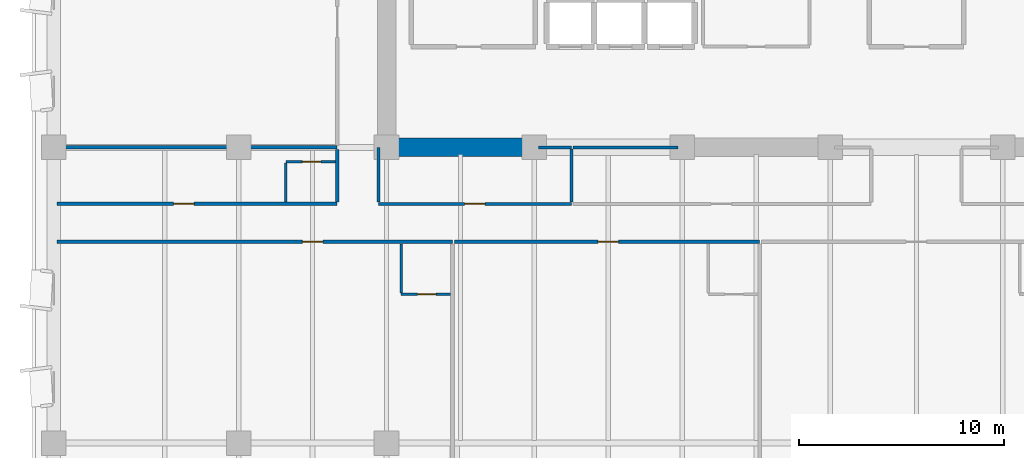
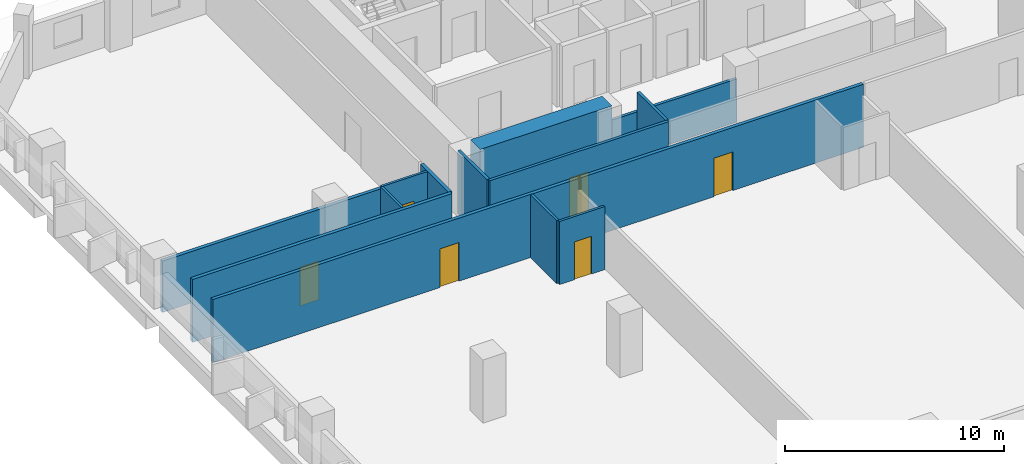
# One storey, part 4 of 14: 15 walls, 6 doors, 6 openings.
"""IFC4 building model written with IfcOpenShell, lengths in metres."""

from ifc_helpers import new_model, si_unit, direction, frame, frame_2d, origin, place, context, subcontext, project, spatial, rectangle, extrude, material, layer, layer_set, type_object, element, fill, save


model = new_model("IFC4")

# Units and contexts
model_context = context("Model", 3, precision=1e-05, world=origin(), true_north=direction((0.0, 1.0)))
body_context = subcontext(model_context, "Body", "Model", "MODEL_VIEW")
ifc_project = project(units=[si_unit("LENGTHUNIT", "METRE"), si_unit("AREAUNIT", "SQUARE_METRE"), si_unit("VOLUMEUNIT", "CUBIC_METRE"), si_unit("PLANEANGLEUNIT", "RADIAN"), si_unit("MASSUNIT", "GRAM", prefix="KILO")], contexts=[model_context])

# Site, building, storey
site_placement = place(None, origin())
site = spatial("IfcSite", under=ifc_project, at=site_placement, CompositionType="ELEMENT")
building_placement = place(site_placement, origin())
building = spatial("IfcBuilding", under=site, at=building_placement, Name="Kaelvorn Grand Hotel", CompositionType="ELEMENT")
storey_placement = place(building_placement, frame((0.0, 0.0, 119.300048828125)))
storey = spatial("IfcBuildingStorey", under=building, at=storey_placement, Name="L28", CompositionType="ELEMENT", Elevation=119.300048828125)

# Wall
ifc_material_1 = material(Name="Concrete C60/75", Category="concrete")
ifc_layer_1 = layer(ifc_material_1, 0.89990234375)
ifc_layer_set_1 = layer_set([ifc_layer_1], Name="Concrete C60/75")
wall_type_1 = type_object("IfcWallType", Name="WL-CORE-900-C60", PredefinedType="SHEAR", material=ifc_layer_set_1)
wall_1_placement = place(storey_placement, frame((16.655029296875, 29.39990234375, 0.0), z_axis=(0.0, 0.0, 1.0), x_axis=(1.0, 0.0, 0.0)))
element("IfcWall", 1, at=wall_1_placement, inside=storey, type_object=wall_type_1, Name="L28 Rear-Core Coupled Shear Pier S1", PredefinedType="SHEAR", context=body_context, shape_type="SweptSolid", body=[
    extrude(rectangle(XDim=6.945068359375, YDim=0.89990234375, at=frame_2d((3.47265625, 0.0))), origin(), (0.0, 0.0, 1.0), 3.510009765625),
])

# Wall, opening, door
ifc_material_2 = material(Name="Moisture-Resistant Tile & Stud Board")
ifc_layer_2 = layer(ifc_material_2, 0.125)
ifc_layer_set_2 = layer_set([ifc_layer_2], Name="Moisture-Resistant Tile & Stud Board")
wall_type_2 = type_object("IfcWallType", Name="WL-PART-125-WET", PredefinedType="PARTITIONING", material=ifc_layer_set_2)
wall_2_placement = place(storey_placement, frame((16.909912109375, 22.25, 0.0), z_axis=(0.0, 0.0, 1.0), x_axis=(1.0, 0.0, 0.0)))
wall_2 = element("IfcWall", 2, at=wall_2_placement, inside=storey, type_object=wall_type_2, Name="L28 En-suite Bathroom L28-01 S Partition", PredefinedType="PARTITIONING", context=body_context, shape_type="SweptSolid", body=[
    extrude(rectangle(XDim=2.40478515625, YDim=0.125, at=frame_2d((1.202392578125, 0.0))), origin(), (0.0, 0.0, 1.0), 3.510009765625),
])
opening_1_placement = place(wall_2_placement, frame((0.800048828125, 0.0, 0.0)))
opening_1 = element("IfcOpeningElement", 3, at=opening_1_placement, cuts=wall_2, Name="Opening DI4", PredefinedType="OPENING", context=body_context, shape_type="SweptSolid", body=[
    extrude(rectangle(XDim=0.89990234375, YDim=2.10009765625, at=frame_2d((0.449951171875, 1.050048828125))), frame((0.0, 0.072509765625, 0.0), z_axis=(0.0, -1.0, 0.0), x_axis=(1.0, 0.0, 0.0)), (0.0, 0.0, 1.0), 0.14501953125),
])
ifc_material_3 = material(Name="Timber Veneer Leaf", Category="wood")
door_type_1 = type_object("IfcDoorType", Name="DR-INT-BATH-900x2100", OperationType="NOTDEFINED", PredefinedType="DOOR", material=ifc_material_3)
door_1_placement = place(opening_1_placement, origin())
door_1 = element("IfcDoor", 4, at=door_1_placement, inside=storey, type_object=door_type_1, Name="L28 En-suite Bathroom L28-01 Door", OperationType="SINGLE_SWING_RIGHT", OverallHeight=2.10009765625, OverallWidth=0.89990234375, PredefinedType="DOOR", context=body_context, shape_type="SweptSolid", body=[
    extrude(rectangle(XDim=0.89990234375, YDim=2.10009765625, at=frame_2d((0.449951171875, 1.050048828125))), frame((0.0, 0.02490234375, 0.0), z_axis=(0.0, -1.0, 0.0), x_axis=(1.0, 0.0, 0.0)), (0.0, 0.0, 1.0), 0.050048828125),
])
fill(opening_1, door_1)

# Wall
wall_3_placement = place(storey_placement, frame((16.909912109375, 22.3173828125, 0.0), z_axis=(0.0, 0.0, 1.0), x_axis=(0.0, 1.0, 0.0)))
element("IfcWall", 5, at=wall_3_placement, inside=storey, type_object=wall_type_2, Name="L28 En-suite Bathroom L28-01 W Partition", PredefinedType="PARTITIONING", context=body_context, shape_type="SweptSolid", body=[
    extrude(rectangle(XDim=2.3876953125, YDim=0.125, at=frame_2d((1.19384765625, 0.0))), origin(), (0.0, 0.0, 1.0), 3.510009765625),
])

# Wall, opening, door
wall_4_placement = place(storey_placement, frame((11.300048828125, 28.699951171875, 0.0), z_axis=(0.0, 0.0, 1.0), x_axis=(1.0, 0.0, 0.0)))
wall_4 = element("IfcWall", 6, at=wall_4_placement, inside=storey, type_object=wall_type_2, Name="L28 En-suite Bathroom L28-06 N Partition", PredefinedType="PARTITIONING", context=body_context, shape_type="SweptSolid", body=[
    extrude(rectangle(XDim=2.405029296875, YDim=0.125, at=frame_2d((1.20263671875, 0.0))), origin(), (0.0, 0.0, 1.0), 3.510009765625),
])
opening_2_placement = place(wall_4_placement, frame((0.800048828125, 0.0, 0.0)))
opening_2 = element("IfcOpeningElement", 7, at=opening_2_placement, cuts=wall_4, Name="Opening DI4", PredefinedType="OPENING", context=body_context, shape_type="SweptSolid", body=[
    extrude(rectangle(XDim=0.89990234375, YDim=2.10009765625, at=frame_2d((0.449951171875, 1.050048828125))), frame((0.0, 0.072509765625, 0.0), z_axis=(0.0, -1.0, 0.0), x_axis=(1.0, 0.0, 0.0)), (0.0, 0.0, 1.0), 0.14501953125),
])
door_2_placement = place(opening_2_placement, origin())
door_2 = element("IfcDoor", 8, at=door_2_placement, inside=storey, type_object=door_type_1, Name="L28 En-suite Bathroom L28-06 Door", OperationType="SINGLE_SWING_RIGHT", OverallHeight=2.10009765625, OverallWidth=0.89990234375, PredefinedType="DOOR", context=body_context, shape_type="SweptSolid", body=[
    extrude(rectangle(XDim=0.89990234375, YDim=2.10009765625, at=frame_2d((0.449951171875, 1.050048828125))), frame((0.0, 0.02490234375, 0.0), z_axis=(0.0, -1.0, 0.0), x_axis=(1.0, 0.0, 0.0)), (0.0, 0.0, 1.0), 0.050048828125),
])
fill(opening_2, door_2)

# Wall
wall_5_placement = place(storey_placement, frame((11.300048828125, 26.7451171875, 0.0), z_axis=(0.0, 0.0, 1.0), x_axis=(0.0, 1.0, 0.0)))
element("IfcWall", 9, at=wall_5_placement, inside=storey, type_object=wall_type_2, Name="L28 En-suite Bathroom L28-06 W Partition", PredefinedType="PARTITIONING", context=body_context, shape_type="SweptSolid", body=[
    extrude(rectangle(XDim=1.887451171875, YDim=0.125, at=frame_2d((0.94384765625, 0.0))), origin(), (0.0, 0.0, 1.0), 3.510009765625),
])

# Wall, opening, door
ifc_material_4 = material(Name="Acoustic Gypsum & Stud Partition")
ifc_layer_3 = layer(ifc_material_4, 0.14990234375)
ifc_layer_set_3 = layer_set([ifc_layer_3], Name="Acoustic Gypsum & Stud Partition")
wall_type_3 = type_object("IfcWallType", Name="WL-PART-150-EI60", PredefinedType="PARTITIONING", material=ifc_layer_set_3)
wall_6_placement = place(storey_placement, frame((15.800048828125, 26.64990234375, 0.0), z_axis=(0.0, 0.0, 1.0), x_axis=(1.0, 0.0, 0.0)))
wall_6 = element("IfcWall", 10, at=wall_6_placement, inside=storey, type_object=wall_type_3, Name="L28 Music & Recital Salon S Partition", PredefinedType="PARTITIONING", context=body_context, shape_type="SweptSolid", body=[
    extrude(rectangle(XDim=9.39990234375, YDim=0.14990234375, at=frame_2d((4.699951171875, 0.0))), origin(), (0.0, 0.0, 1.0), 3.510009765625),
])
opening_3_placement = place(wall_6_placement, frame((4.199951171875, 0.0, 0.0)))
opening_3 = element("IfcOpeningElement", 11, at=opening_3_placement, cuts=wall_6, Name="Opening DI3", PredefinedType="OPENING", context=body_context, shape_type="SweptSolid", body=[
    extrude(rectangle(XDim=1.0, YDim=2.14990234375, at=frame_2d((0.5, 1.074951171875))), frame((0.0, 0.0849609375, 0.0), z_axis=(0.0, -1.0, 0.0), x_axis=(1.0, 0.0, 0.0)), (0.0, 0.0, 1.0), 0.169921875),
])
ifc_material_5 = material(Name="Timber Veneer Fire Leaf", Category="wood")
door_type_2 = type_object("IfcDoorType", Name="DR-INT-GUEST-1000x2150", OperationType="NOTDEFINED", PredefinedType="DOOR", material=ifc_material_5)
door_3_placement = place(opening_3_placement, origin())
door_3 = element("IfcDoor", 12, at=door_3_placement, inside=storey, type_object=door_type_2, Name="L28 Music & Recital Salon Door", OperationType="SINGLE_SWING_LEFT", OverallHeight=2.14990234375, OverallWidth=1.0, PredefinedType="DOOR", context=body_context, shape_type="SweptSolid", body=[
    extrude(rectangle(XDim=1.0, YDim=2.14990234375, at=frame_2d((0.5, 1.074951171875))), frame((0.0, 0.02490234375, 0.0), z_axis=(0.0, -1.0, 0.0), x_axis=(1.0, 0.0, 0.0)), (0.0, 0.0, 1.0), 0.050048828125),
])
fill(opening_3, door_3)

# Walls
wall_7_placement = place(storey_placement, frame((23.610107421875, 29.39990234375, 0.0), z_axis=(0.0, 0.0, 1.0), x_axis=(1.0, 0.0, 0.0)))
element("IfcWall", 13, at=wall_7_placement, inside=storey, type_object=wall_type_3, Name="L28 Music & Recital Salon N Partition", PredefinedType="PARTITIONING", context=body_context, shape_type="SweptSolid", body=[
    extrude(rectangle(XDim=1.58984375, YDim=0.14990234375, at=frame_2d((0.794921875, 0.0))), origin(), (0.0, 0.0, 1.0), 2.409912109375),
])
wall_8_placement = place(storey_placement, frame((15.800048828125, 26.72998046875, 0.0), z_axis=(0.0, 0.0, 1.0), x_axis=(0.0, 1.0, 0.0)))
element("IfcWall", 14, at=wall_8_placement, inside=storey, type_object=wall_type_3, Name="L28 Music & Recital Salon W Partition", PredefinedType="PARTITIONING", context=body_context, shape_type="SweptSolid", body=[
    extrude(rectangle(XDim=2.659912109375, YDim=0.14990234375, at=frame_2d((1.330078125, 0.0))), origin(), (0.0, 0.0, 1.0), 3.510009765625),
])
wall_9_placement = place(storey_placement, frame((25.199951171875, 26.72998046875, 0.0), z_axis=(0.0, 0.0, 1.0), x_axis=(0.0, 1.0, 0.0)))
element("IfcWall", 15, at=wall_9_placement, inside=storey, type_object=wall_type_3, Name="L28 Music & Recital Salon E Partition", PredefinedType="PARTITIONING", context=body_context, shape_type="SweptSolid", body=[
    extrude(rectangle(XDim=2.590087890625, YDim=0.14990234375, at=frame_2d((1.294921875, 0.0))), origin(), (0.0, 0.0, 1.0), 3.510009765625),
])
wall_10_placement = place(storey_placement, frame((25.280029296875, 29.39990234375, 0.0), z_axis=(0.0, 0.0, 1.0), x_axis=(1.0, 0.0, 0.0)))
element("IfcWall", 16, at=wall_10_placement, inside=storey, type_object=wall_type_3, Name="L28 Banquet Prep Kitchen N Partition (1)", PredefinedType="PARTITIONING", context=body_context, shape_type="SweptSolid", body=[
    extrude(rectangle(XDim=5.10986328125, YDim=0.14990234375, at=frame_2d((2.554931640625, 0.0))), origin(), (0.0, 0.0, 1.0), 2.409912109375),
])

# Wall, opening, door
ifc_layer_4 = layer(ifc_material_4, 0.179931640625)
ifc_layer_set_4 = layer_set([ifc_layer_4], Name="Acoustic Gypsum & Stud Partition")
wall_type_4 = type_object("IfcWallType", Name="WL-PART-180-EI60", PredefinedType="PARTITIONING", material=ifc_layer_set_4)
wall_11_placement = place(storey_placement, frame((0.14990234375, 24.800048828125, 0.0), z_axis=(0.0, 0.0, 1.0), x_axis=(1.0, 0.0, 0.0)))
wall_11 = element("IfcWall", 17, at=wall_11_placement, inside=storey, type_object=wall_type_4, Name="L28 Presidential Sky Suite L28-01 N Partition", PredefinedType="PARTITIONING", context=body_context, shape_type="SweptSolid", body=[
    extrude(rectangle(XDim=19.260009765625, YDim=0.179931640625, at=frame_2d((9.6298828125, 0.0))), origin(), (0.0, 0.0, 1.0), 3.510009765625),
])
opening_4_placement = place(wall_11_placement, frame((11.949951171875, 0.0, 0.0)))
opening_4 = element("IfcOpeningElement", 18, at=opening_4_placement, cuts=wall_11, Name="Opening DI3", PredefinedType="OPENING", context=body_context, shape_type="SweptSolid", body=[
    extrude(rectangle(XDim=1.0, YDim=2.14990234375, at=frame_2d((0.5, 1.074951171875))), frame((0.0, 0.10009765625, 0.0), z_axis=(0.0, -1.0, 0.0), x_axis=(1.0, 0.0, 0.0)), (0.0, 0.0, 1.0), 0.199951171875),
])
door_4_placement = place(opening_4_placement, origin())
door_4 = element("IfcDoor", 19, at=door_4_placement, inside=storey, type_object=door_type_2, Name="L28 Presidential Sky Suite L28-01 Door", OperationType="SINGLE_SWING_LEFT", OverallHeight=2.14990234375, OverallWidth=1.0, PredefinedType="DOOR", context=body_context, shape_type="SweptSolid", body=[
    extrude(rectangle(XDim=1.0, YDim=2.14990234375, at=frame_2d((0.5, 1.074951171875))), frame((0.0, 0.02490234375, 0.0), z_axis=(0.0, -1.0, 0.0), x_axis=(1.0, 0.0, 0.0)), (0.0, 0.0, 1.0), 0.050048828125),
])
fill(opening_4, door_4)

wall_12_placement = place(storey_placement, frame((19.5048828125, 24.800048828125, 0.0), z_axis=(0.0, 0.0, 1.0), x_axis=(1.0, 0.0, 0.0)))
wall_12 = element("IfcWall", 20, at=wall_12_placement, inside=storey, type_object=wall_type_4, Name="L28 Presidential Sky Suite L28-02 N Partition", PredefinedType="PARTITIONING", context=body_context, shape_type="SweptSolid", body=[
    extrude(rectangle(XDim=14.864501953125, YDim=0.179931640625, at=frame_2d((7.43212890625, 0.0))), origin(), (0.0, 0.0, 1.0), 3.510009765625),
])
opening_5_placement = place(wall_12_placement, frame((6.9951171875, 0.0, 0.0)))
opening_5 = element("IfcOpeningElement", 21, at=opening_5_placement, cuts=wall_12, Name="Opening DI3", PredefinedType="OPENING", context=body_context, shape_type="SweptSolid", body=[
    extrude(rectangle(XDim=1.0, YDim=2.14990234375, at=frame_2d((0.5, 1.074951171875))), frame((0.0, 0.10009765625, 0.0), z_axis=(0.0, -1.0, 0.0), x_axis=(1.0, 0.0, 0.0)), (0.0, 0.0, 1.0), 0.199951171875),
])
door_5_placement = place(opening_5_placement, origin())
door_5 = element("IfcDoor", 22, at=door_5_placement, inside=storey, type_object=door_type_2, Name="L28 Presidential Sky Suite L28-02 Door", OperationType="SINGLE_SWING_LEFT", OverallHeight=2.14990234375, OverallWidth=1.0, PredefinedType="DOOR", context=body_context, shape_type="SweptSolid", body=[
    extrude(rectangle(XDim=1.0, YDim=2.14990234375, at=frame_2d((0.5, 1.074951171875))), frame((0.0, 0.02490234375, 0.0), z_axis=(0.0, -1.0, 0.0), x_axis=(1.0, 0.0, 0.0)), (0.0, 0.0, 1.0), 0.050048828125),
])
fill(opening_5, door_5)

wall_13_placement = place(storey_placement, frame((0.14990234375, 26.64990234375, 0.0), z_axis=(0.0, 0.0, 1.0), x_axis=(1.0, 0.0, 0.0)))
wall_13 = element("IfcWall", 23, at=wall_13_placement, inside=storey, type_object=wall_type_4, Name="L28 West Chamfer Corner Suite L28-06 S Partition", PredefinedType="PARTITIONING", context=body_context, shape_type="SweptSolid", body=[
    extrude(rectangle(XDim=13.650146484375, YDim=0.179931640625, at=frame_2d((6.8251953125, 0.0))), origin(), (0.0, 0.0, 1.0), 3.510009765625),
])
opening_6_placement = place(wall_13_placement, frame((5.68505859375, 0.0, 0.0)))
opening_6 = element("IfcOpeningElement", 24, at=opening_6_placement, cuts=wall_13, Name="Opening DI3", PredefinedType="OPENING", context=body_context, shape_type="SweptSolid", body=[
    extrude(rectangle(XDim=1.0, YDim=2.14990234375, at=frame_2d((0.5, 1.074951171875))), frame((0.0, 0.10009765625, 0.0), z_axis=(0.0, -1.0, 0.0), x_axis=(1.0, 0.0, 0.0)), (0.0, 0.0, 1.0), 0.199951171875),
])
door_6_placement = place(opening_6_placement, origin())
door_6 = element("IfcDoor", 25, at=door_6_placement, inside=storey, type_object=door_type_2, Name="L28 West Chamfer Corner Suite L28-06 Door", OperationType="SINGLE_SWING_LEFT", OverallHeight=2.14990234375, OverallWidth=1.0, PredefinedType="DOOR", context=body_context, shape_type="SweptSolid", body=[
    extrude(rectangle(XDim=1.0, YDim=2.14990234375, at=frame_2d((0.5, 1.074951171875))), frame((0.0, 0.02490234375, 0.0), z_axis=(0.0, -1.0, 0.0), x_axis=(1.0, 0.0, 0.0)), (0.0, 0.0, 1.0), 0.050048828125),
])
fill(opening_6, door_6)

# Walls
wall_14_placement = place(storey_placement, frame((0.14990234375, 29.39990234375, 0.0), z_axis=(0.0, 0.0, 1.0), x_axis=(1.0, 0.0, 0.0)))
element("IfcWall", 26, at=wall_14_placement, inside=storey, type_object=wall_type_4, Name="L28 West Chamfer Corner Suite L28-06 N Partition", PredefinedType="PARTITIONING", context=body_context, shape_type="SweptSolid", body=[
    extrude(rectangle(XDim=13.650146484375, YDim=0.179931640625, at=frame_2d((6.8251953125, 0.0))), origin(), (0.0, 0.0, 1.0), 2.85986328125),
])
wall_15_placement = place(storey_placement, frame((13.800048828125, 26.7451171875, 0.0), z_axis=(0.0, 0.0, 1.0), x_axis=(0.0, 1.0, 0.0)))
element("IfcWall", 27, at=wall_15_placement, inside=storey, type_object=wall_type_4, Name="L28 West Chamfer Corner Suite L28-06 E Partition", PredefinedType="PARTITIONING", context=body_context, shape_type="SweptSolid", body=[
    extrude(rectangle(XDim=2.559814453125, YDim=0.179931640625, at=frame_2d((1.27978515625, 0.0))), origin(), (0.0, 0.0, 1.0), 3.510009765625),
])

save(model, "model.ifc")
